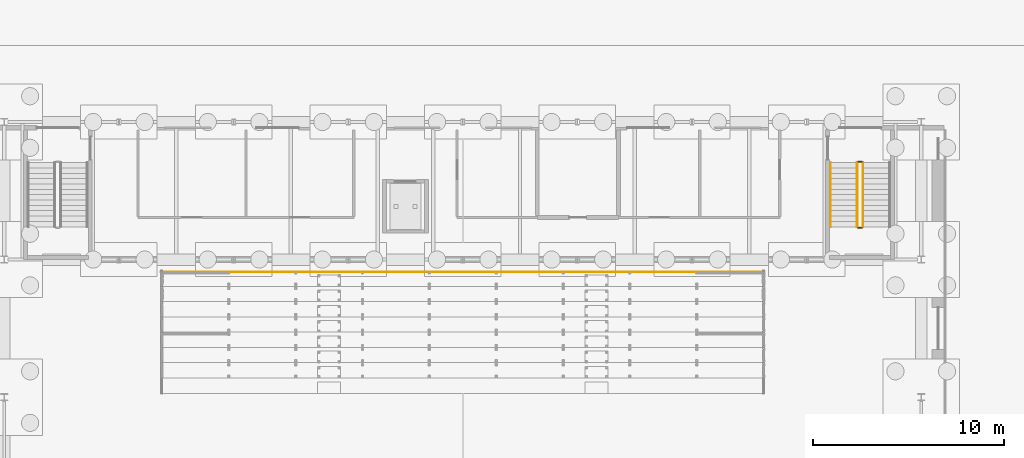
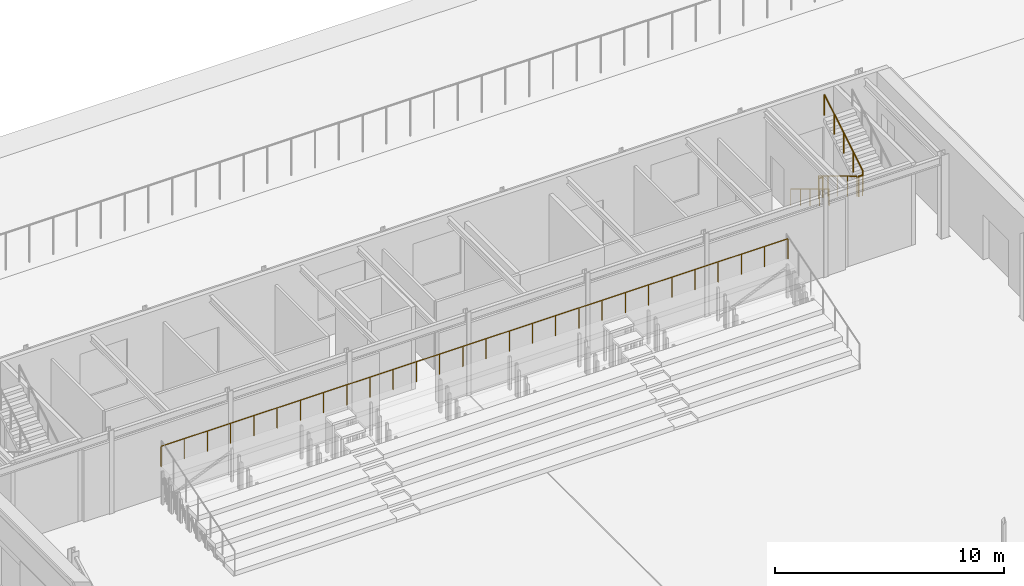
# One storey, part 124 of 139: 6 railings.
"""IFC4 building model written with IfcOpenShell, lengths in metres."""

from ifc_helpers import new_model, si_unit, direction, frame, origin, origin_2d, place, context, subcontext, project, spatial, circle, extrude, material, type_object, element, save


model = new_model("IFC4")

# Units and contexts
model_context = context("Model", 3, precision=1e-05, world=origin(), true_north=direction((0.0, 1.0)))
body_context = subcontext(model_context, "Body", "Model", "MODEL_VIEW")
ifc_project = project(units=[si_unit("LENGTHUNIT", "METRE"), si_unit("AREAUNIT", "SQUARE_METRE"), si_unit("VOLUMEUNIT", "CUBIC_METRE"), si_unit("PLANEANGLEUNIT", "RADIAN"), si_unit("MASSUNIT", "GRAM", prefix="KILO")], contexts=[model_context])

# Site, building, storey
site_placement = place(None, origin())
site = spatial("IfcSite", under=ifc_project, at=site_placement, CompositionType="ELEMENT")
building_placement = place(site_placement, origin())
building = spatial("IfcBuilding", under=site, at=building_placement, Name="Verrick Yard Athletic Hall", CompositionType="ELEMENT")
storey_placement = place(building_placement, origin())
storey = spatial("IfcBuildingStorey", under=building, at=storey_placement, Name="L00", CompositionType="ELEMENT", Elevation=0.0)

# Railings
ifc_material_1 = material(Name="Stainless steel 316", Category="steel")
railing_type_1 = type_object("IfcRailingType", Name="HB seating guard 1100", PredefinedType="GUARDRAIL", material=ifc_material_1)
railing_1_placement = place(storey_placement, frame((36.199951171875, 100.14990234375, 2.0)))
element("IfcRailing", 1, at=railing_1_placement, inside=storey, type_object=railing_type_1, Name="HB-GD-RSB1-back", PredefinedType="GUARDRAIL", context=body_context, shape_type="SweptSolid", body=[
    extrude(circle(Radius=0.02392578125, at=origin_2d()), frame((0.0, 0.0, 1.076171875), z_axis=(1.0, 0.0, 0.0), x_axis=(0.0, 1.0, 0.0)), (0.0, 0.0, 1.0), 31.60009765625),
    extrude(circle(Radius=0.02099609375, at=origin_2d()), origin(), (0.0, 0.0, 1.0), 1.052001953125),
    extrude(circle(Radius=0.02099609375, at=origin_2d()), frame((1.17041015625, 0.0, 0.0)), (0.0, 0.0, 1.0), 1.052001953125),
    extrude(circle(Radius=0.02099609375, at=origin_2d()), frame((2.3408203125, 0.0, 0.0)), (0.0, 0.0, 1.0), 1.052001953125),
    extrude(circle(Radius=0.02099609375, at=origin_2d()), frame((3.51123046875, 0.0, 0.0)), (0.0, 0.0, 1.0), 1.052001953125),
    extrude(circle(Radius=0.02099609375, at=origin_2d()), frame((4.681396484375, 0.0, 0.0)), (0.0, 0.0, 1.0), 1.052001953125),
    extrude(circle(Radius=0.02099609375, at=origin_2d()), frame((5.851806640625, 0.0, 0.0)), (0.0, 0.0, 1.0), 1.052001953125),
    extrude(circle(Radius=0.02099609375, at=origin_2d()), frame((7.022216796875, 0.0, 0.0)), (0.0, 0.0, 1.0), 1.052001953125),
    extrude(circle(Radius=0.02099609375, at=origin_2d()), frame((8.192626953125, 0.0, 0.0)), (0.0, 0.0, 1.0), 1.052001953125),
    extrude(circle(Radius=0.02099609375, at=origin_2d()), frame((9.363037109375, 0.0, 0.0)), (0.0, 0.0, 1.0), 1.052001953125),
    extrude(circle(Radius=0.02099609375, at=origin_2d()), frame((10.533447265625, 0.0, 0.0)), (0.0, 0.0, 1.0), 1.052001953125),
    extrude(circle(Radius=0.02099609375, at=origin_2d()), frame((11.703857421875, 0.0, 0.0)), (0.0, 0.0, 1.0), 1.052001953125),
    extrude(circle(Radius=0.02099609375, at=origin_2d()), frame((12.8740234375, 0.0, 0.0)), (0.0, 0.0, 1.0), 1.052001953125),
    extrude(circle(Radius=0.02099609375, at=origin_2d()), frame((14.04443359375, 0.0, 0.0)), (0.0, 0.0, 1.0), 1.052001953125),
    extrude(circle(Radius=0.02099609375, at=origin_2d()), frame((15.21484375, 0.0, 0.0)), (0.0, 0.0, 1.0), 1.052001953125),
    extrude(circle(Radius=0.02099609375, at=origin_2d()), frame((16.38525390625, 0.0, 0.0)), (0.0, 0.0, 1.0), 1.052001953125),
    extrude(circle(Radius=0.02099609375, at=origin_2d()), frame((17.5556640625, 0.0, 0.0)), (0.0, 0.0, 1.0), 1.052001953125),
    extrude(circle(Radius=0.02099609375, at=origin_2d()), frame((18.72607421875, 0.0, 0.0)), (0.0, 0.0, 1.0), 1.052001953125),
    extrude(circle(Radius=0.02099609375, at=origin_2d()), frame((19.896240234375, 0.0, 0.0)), (0.0, 0.0, 1.0), 1.052001953125),
    extrude(circle(Radius=0.02099609375, at=origin_2d()), frame((21.066650390625, 0.0, 0.0)), (0.0, 0.0, 1.0), 1.052001953125),
    extrude(circle(Radius=0.02099609375, at=origin_2d()), frame((22.237060546875, 0.0, 0.0)), (0.0, 0.0, 1.0), 1.052001953125),
    extrude(circle(Radius=0.02099609375, at=origin_2d()), frame((23.407470703125, 0.0, 0.0)), (0.0, 0.0, 1.0), 1.052001953125),
    extrude(circle(Radius=0.02099609375, at=origin_2d()), frame((24.577880859375, 0.0, 0.0)), (0.0, 0.0, 1.0), 1.052001953125),
    extrude(circle(Radius=0.02099609375, at=origin_2d()), frame((25.748291015625, 0.0, 0.0)), (0.0, 0.0, 1.0), 1.052001953125),
    extrude(circle(Radius=0.02099609375, at=origin_2d()), frame((26.918701171875, 0.0, 0.0)), (0.0, 0.0, 1.0), 1.052001953125),
    extrude(circle(Radius=0.02099609375, at=origin_2d()), frame((28.0888671875, 0.0, 0.0)), (0.0, 0.0, 1.0), 1.052001953125),
    extrude(circle(Radius=0.02099609375, at=origin_2d()), frame((29.25927734375, 0.0, 0.0)), (0.0, 0.0, 1.0), 1.052001953125),
    extrude(circle(Radius=0.02099609375, at=origin_2d()), frame((30.4296875, 0.0, 0.0)), (0.0, 0.0, 1.0), 1.052001953125),
    extrude(circle(Radius=0.02099609375, at=origin_2d()), frame((31.60009765625, 0.0, 0.0)), (0.0, 0.0, 1.0), 1.052001953125),
])
ifc_material_2 = material(Name="Stainless steel", Category="steel")
railing_type_2 = type_object("IfcRailingType", Name="Stair and core guard 1100", PredefinedType="GUARDRAIL", material=ifc_material_2)
railing_2_placement = place(storey_placement, frame((72.64990234375, 105.875, 0.169189453125)))
element("IfcRailing", 2, at=railing_2_placement, inside=storey, type_object=railing_type_2, Name="L00 Sports Hall B east band stair guard 1", PredefinedType="GUARDRAIL", context=body_context, shape_type="SweptSolid", body=[
    extrude(circle(Radius=0.02392578125, at=origin_2d()), frame((0.0, 0.0, 1.076171875), z_axis=(0.0, -0.855836976705, 0.517245656632), x_axis=(1.0, 0.0, 0.0)), (0.0, 0.0, 1.0), 3.926025390625),
    extrude(circle(Radius=0.02099609375, at=origin_2d()), origin(), (0.0, 0.0, 1.0), 1.052001953125),
    extrude(circle(Radius=0.02099609375, at=origin_2d()), frame((0.0, -0.840087890625, 0.5078125)), (0.0, 0.0, 1.0), 1.052001953125),
    extrude(circle(Radius=0.02099609375, at=origin_2d()), frame((0.0, -1.68017578125, 1.015380859375)), (0.0, 0.0, 1.0), 1.052001953125),
    extrude(circle(Radius=0.02099609375, at=origin_2d()), frame((0.0, -2.52001953125, 1.52294921875)), (0.0, 0.0, 1.0), 1.052001953125),
    extrude(circle(Radius=0.02099609375, at=origin_2d()), frame((0.0, -3.360107421875, 2.03076171875)), (0.0, 0.0, 1.0), 1.052001953125),
])
railing_3_placement = place(storey_placement, frame((72.699951171875, 102.465087890625, 2.199951171875)))
element("IfcRailing", 3, at=railing_3_placement, inside=storey, type_object=railing_type_2, Name="L00 Sports Hall B east band stair guard 2", PredefinedType="GUARDRAIL", context=body_context, shape_type="SweptSolid", body=[
    extrude(circle(Radius=0.02392578125, at=origin_2d()), frame((0.0, 0.0, 1.076171875), z_axis=(1.0, 0.0, 0.0), x_axis=(0.0, 1.0, 0.0)), (0.0, 0.0, 1.0), 0.199951171875),
    extrude(circle(Radius=0.02099609375, at=origin_2d()), origin(), (0.0, 0.0, 1.0), 1.052001953125),
    extrude(circle(Radius=0.02099609375, at=origin_2d()), frame((0.199951171875, 0.0, 0.0)), (0.0, 0.0, 1.0), 1.052001953125),
])
railing_4_placement = place(storey_placement, frame((72.949951171875, 102.514892578125, 2.369140625)))
element("IfcRailing", 4, at=railing_4_placement, inside=storey, type_object=railing_type_2, Name="L00 Sports Hall B east band stair guard 3", PredefinedType="GUARDRAIL", context=body_context, shape_type="SweptSolid", body=[
    extrude(circle(Radius=0.02392578125, at=origin_2d()), frame((0.0, 0.0, 1.076171875), z_axis=(0.0, 0.855836976705, 0.517245656632), x_axis=(-1.0, 0.0, 0.0)), (0.0, 0.0, 1.0), 3.926025390625),
    extrude(circle(Radius=0.02099609375, at=origin_2d()), origin(), (0.0, 0.0, 1.0), 1.052001953125),
    extrude(circle(Radius=0.02099609375, at=origin_2d()), frame((0.0, 0.840087890625, 0.5078125)), (0.0, 0.0, 1.0), 1.052001953125),
    extrude(circle(Radius=0.02099609375, at=origin_2d()), frame((0.0, 1.68017578125, 1.015380859375)), (0.0, 0.0, 1.0), 1.052001953125),
    extrude(circle(Radius=0.02099609375, at=origin_2d()), frame((0.0, 2.52001953125, 1.52294921875)), (0.0, 0.0, 1.0), 1.052001953125),
    extrude(circle(Radius=0.02099609375, at=origin_2d()), frame((0.0, 3.360107421875, 2.03076171875)), (0.0, 0.0, 1.0), 1.052001953125),
])
railing_5_placement = place(storey_placement, frame((72.699951171875, 105.925048828125, 0.0)))
element("IfcRailing", 5, at=railing_5_placement, inside=storey, type_object=railing_type_2, Name="L00 Sports Hall B east band stair guard 4", PredefinedType="GUARDRAIL", context=body_context, shape_type="SweptSolid", body=[
    extrude(circle(Radius=0.02392578125, at=origin_2d()), frame((0.0, 0.0, 1.076171875), z_axis=(1.0, 0.0, 0.0), x_axis=(0.0, 1.0, 0.0)), (0.0, 0.0, 1.0), 0.199951171875),
    extrude(circle(Radius=0.02099609375, at=origin_2d()), origin(), (0.0, 0.0, 1.0), 1.052001953125),
    extrude(circle(Radius=0.02099609375, at=origin_2d()), frame((0.199951171875, 0.0, 0.0)), (0.0, 0.0, 1.0), 1.052001953125),
])
railing_type_3 = type_object("IfcRailingType", Name="Stair handrail 900", PredefinedType="HANDRAIL", material=ifc_material_2)
railing_6_placement = place(storey_placement, frame((71.25, 105.875, 0.169189453125)))
element("IfcRailing", 6, at=railing_6_placement, inside=storey, type_object=railing_type_3, Name="L00 Sports Hall B east band stair handrail 1", PredefinedType="HANDRAIL", context=body_context, shape_type="SweptSolid", body=[
    extrude(circle(Radius=0.02392578125, at=origin_2d()), frame((0.0, 0.0, 0.8759765625), z_axis=(0.0, -0.855836976705, 0.517245656632), x_axis=(1.0, 0.0, 0.0)), (0.0, 0.0, 1.0), 3.926025390625),
    extrude(circle(Radius=0.02099609375, at=origin_2d()), origin(), (0.0, 0.0, 1.0), 0.851806640625),
    extrude(circle(Radius=0.02099609375, at=origin_2d()), frame((0.0, -0.840087890625, 0.5078125)), (0.0, 0.0, 1.0), 0.851806640625),
    extrude(circle(Radius=0.02099609375, at=origin_2d()), frame((0.0, -1.68017578125, 1.015380859375)), (0.0, 0.0, 1.0), 0.851806640625),
    extrude(circle(Radius=0.02099609375, at=origin_2d()), frame((0.0, -2.52001953125, 1.52294921875)), (0.0, 0.0, 1.0), 0.851806640625),
    extrude(circle(Radius=0.02099609375, at=origin_2d()), frame((0.0, -3.360107421875, 2.03076171875)), (0.0, 0.0, 1.0), 0.851806640625),
])

save(model, "model.ifc")
